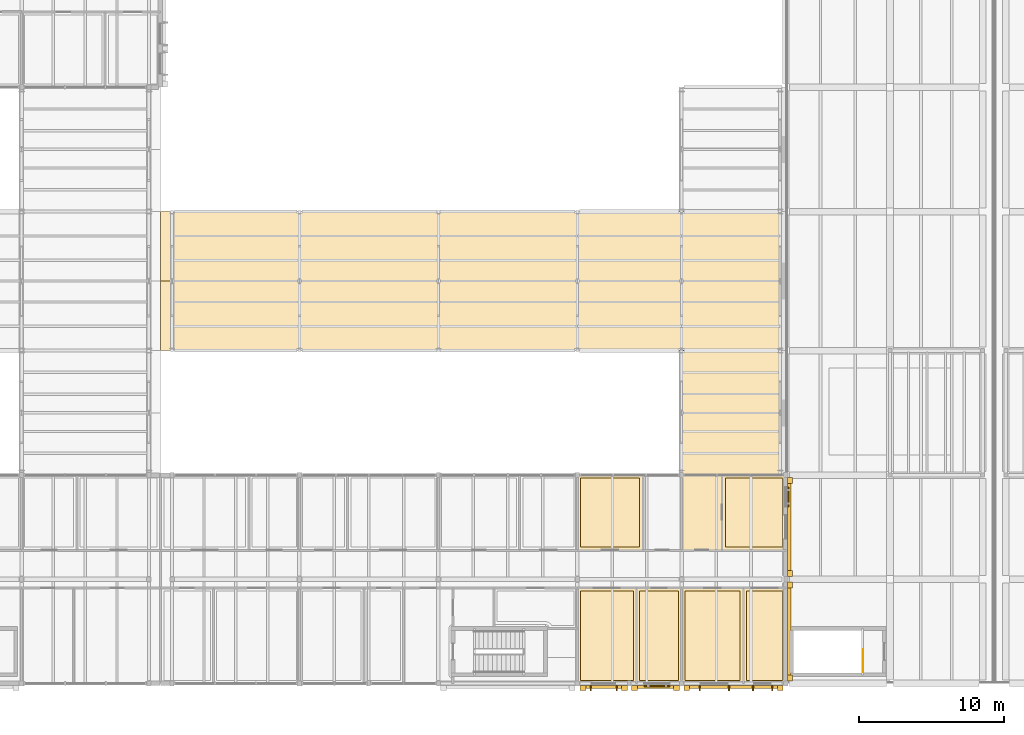
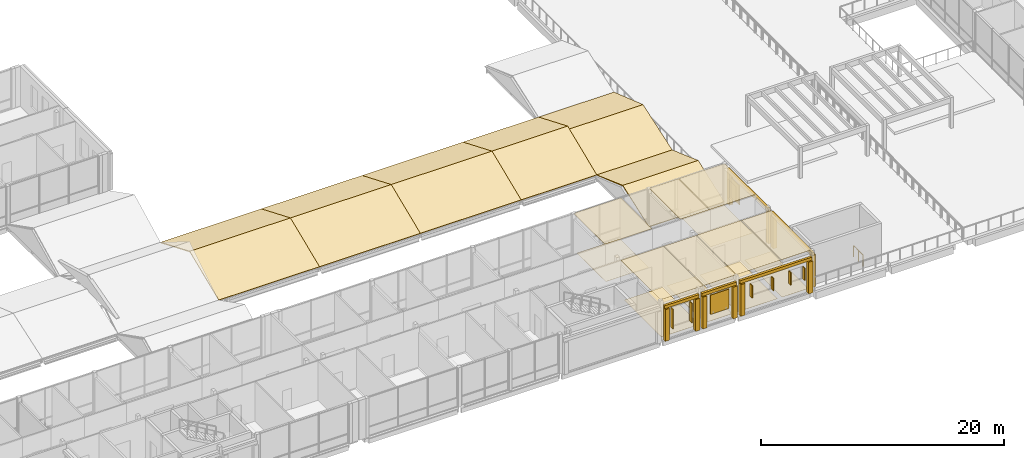
# One storey, part 110 of 115: 40 coverings, 8 shading devices, 1 railing.
"""IFC4 building model written with IfcOpenShell, lengths in metres."""

import ifcopenshell
import ifcopenshell.guid

model = None  # the IFC model being written
_history = None  # IfcOwnerHistory: only IFC2X3 demands one
_inside = {}  # id of a spatial element -> (the spatial element, [elements in it])
_under = {}  # id of a project, library or spatial element -> (it, [spatial elements below it])
_declared = {}  # id of a project -> (the project, [libraries it declares])
_typed = {}  # id of a type object -> (the type object, [elements of that type])
_made_of = {}  # id of a material, layer set ... -> (it, [elements and type objects made of it])


def new_model(schema):
    """Start an empty IFC model of exactly this schema.

    Asked for "IFC4X3", IfcOpenShell would pick the latest addendum, in which some entities
    have other attributes; the version numbers below select the first issue.
    IFC2X3 requires an IfcOwnerHistory on every rooted entity: one is made here for all.
    """
    global model, _history
    if schema == "IFC4X3":
        model = ifcopenshell.file(schema_version=(4, 3, 0, 0))
    else:
        model = ifcopenshell.file(schema=schema)
    _inside.clear()
    _under.clear()
    _declared.clear()
    _typed.clear()
    _made_of.clear()
    _history = None
    if model.schema == "IFC2X3":
        org = make("IfcOrganization", Name="unknown")
        user = make(
            "IfcPersonAndOrganization",
            ThePerson=make("IfcPerson", FamilyName="unknown"),
            TheOrganization=org,
        )
        app = make(
            "IfcApplication",
            ApplicationDeveloper=org,
            Version="unknown",
            ApplicationFullName="unknown",
            ApplicationIdentifier="unknown",
        )
        _history = make(
            "IfcOwnerHistory",
            OwningUser=user,
            OwningApplication=app,
            ChangeAction="ADDED",
            CreationDate=0,
        )
    return model


def make(cls, **values):
    """One entity of the class cls with the attributes given. An attribute that is None is left unset."""
    return model.create_entity(
        cls, **{name: value for name, value in values.items() if value is not None}
    )


def rooted(cls, **values):
    """An entity with a GlobalId (a new one), such as an element, a storey or a relation."""
    return make(cls, GlobalId=ifcopenshell.guid.new(), OwnerHistory=_history, **values)


def si_unit(unit_type, name, prefix=None):
    """IfcSIUnit, for example si_unit("LENGTHUNIT", "METRE", prefix="MILLI")."""
    return make("IfcSIUnit", UnitType=unit_type, Prefix=prefix, Name=name)


def assignment(units):
    """IfcUnitAssignment: the units of a project."""
    return None if units is None else make("IfcUnitAssignment", Units=units)


def point(xyz):
    """IfcCartesianPoint."""
    return None if xyz is None else make("IfcCartesianPoint", Coordinates=xyz)


def direction(xyz):
    """IfcDirection."""
    return None if xyz is None else make("IfcDirection", DirectionRatios=xyz)


def frame(location, z_axis=None, x_axis=None):
    """IfcAxis2Placement3D, a coordinate frame: its origin and axes. An axis left out is left unset."""
    return make(
        "IfcAxis2Placement3D",
        Location=point(location),
        Axis=direction(z_axis),
        RefDirection=direction(x_axis),
    )


def frame_2d(location, x_axis=None):
    """IfcAxis2Placement2D, a coordinate frame in the plane: its origin and x axis."""
    return make(
        "IfcAxis2Placement2D", Location=point(location), RefDirection=direction(x_axis)
    )


def origin():
    """The frame at (0, 0, 0) with its axes left unset."""
    return frame((0.0, 0.0, 0.0))


def origin_2d():
    """The frame at (0, 0) in the plane with its x axis left unset."""
    return frame_2d((0.0, 0.0))


def place(relative_to, where):
    """IfcLocalPlacement: puts the frame where relative to a parent placement (None: the world)."""
    return make(
        "IfcLocalPlacement", PlacementRelTo=relative_to, RelativePlacement=where
    )


def context(
    kind, dimensions, precision=None, world=None, true_north=None, identifier=None
):
    """IfcGeometricRepresentationContext, for example the 3D "Model" context."""
    return make(
        "IfcGeometricRepresentationContext",
        ContextIdentifier=identifier,
        ContextType=kind,
        CoordinateSpaceDimension=dimensions,
        Precision=precision,
        WorldCoordinateSystem=world,
        TrueNorth=true_north,
    )


def subcontext(parent, identifier, kind, view, scale=None):
    """IfcGeometricRepresentationSubContext, for example "Body" below "Model"."""
    return make(
        "IfcGeometricRepresentationSubContext",
        ContextIdentifier=identifier,
        ContextType=kind,
        ParentContext=parent,
        TargetScale=scale,
        TargetView=view,
    )


def project(units=None, contexts=None):
    """IfcProject with its units and contexts."""
    return rooted(
        "IfcProject",
        Name="project",
        RepresentationContexts=contexts,
        UnitsInContext=assignment(units),
    )


def spatial(cls, under=None, at=None, **own):
    """A site, building, storey or space (cls), placed at a placement, below another one or the project."""
    s = rooted(cls, ObjectPlacement=at, **own)
    if under is not None:
        _under.setdefault(under.id(), (under, []))[1].append(s)
    return s


def polyline(points):
    """IfcPolyline through the points."""
    return make("IfcPolyline", Points=[point(p) for p in points])


def profile(cls, at=None, kind="AREA", **sizes):
    """A parametric profile (cls). Its sizes go by their IFC names, for example OverallWidth=200.0."""
    return make(cls, ProfileType=kind, Position=at, **sizes)


def rectangle(**sizes):
    """IfcRectangleProfileDef."""
    return profile("IfcRectangleProfileDef", **sizes)


def circle(**sizes):
    """IfcCircleProfileDef."""
    return profile("IfcCircleProfileDef", **sizes)


def outline(outer, holes=None, kind="AREA"):
    """IfcArbitraryClosedProfileDef: a profile drawn as a closed curve; with holes, ...WithVoids."""
    if holes is None:
        return make("IfcArbitraryClosedProfileDef", ProfileType=kind, OuterCurve=outer)
    return make(
        "IfcArbitraryProfileDefWithVoids",
        ProfileType=kind,
        OuterCurve=outer,
        InnerCurves=holes,
    )


def extrude(swept, where, along, depth):
    """IfcExtrudedAreaSolid: the profile swept, set in the frame where, extruded along a direction by depth."""
    return make(
        "IfcExtrudedAreaSolid",
        SweptArea=swept,
        Position=where,
        ExtrudedDirection=direction(along),
        Depth=depth,
    )


def shape(context_of_items, identifier, shape_type, items):
    """IfcShapeRepresentation: the items that make up one representation, for example the "Body"."""
    return make(
        "IfcShapeRepresentation",
        ContextOfItems=context_of_items,
        RepresentationIdentifier=identifier,
        RepresentationType=shape_type,
        Items=items,
    )


def material(Name=None, Category=None):
    """IfcMaterial."""
    return make("IfcMaterial", Name=Name, Category=Category)


def layer(
    of_material, thickness, ventilated=None, Name=None, Category=None, Priority=None
):
    """IfcMaterialLayer: one layer of a wall or slab, of a material (None: an air gap)."""
    return make(
        "IfcMaterialLayer",
        Material=of_material,
        LayerThickness=thickness,
        IsVentilated=ventilated,
        Name=Name,
        Category=Category,
        Priority=Priority,
    )


def layer_set(layers, Name=None):
    """IfcMaterialLayerSet."""
    return make("IfcMaterialLayerSet", MaterialLayers=layers, LayerSetName=Name)


def made_of(thing, what):
    """Note that an element or type object is made of a material, layer set ...; save() writes the relation."""
    if what is not None:
        _made_of.setdefault(what.id(), (what, []))[1].append(thing)
    return thing


def type_object(cls, material=None, **own):
    """A type object (cls), such as IfcWallType, which elements share."""
    return made_of(rooted(cls, **own), material)


def element(
    cls,
    number,
    at=None,
    inside=None,
    cuts=None,
    type_object=None,
    material=None,
    context=None,
    identifier="Body",
    shape_type=None,
    held_by="IfcProductDefinitionShape",
    body=None,
    shapes=None,
    **own,
):
    """One element of the class cls, such as IfcWall. Its Tag is "e" and its number.

    at: its placement. inside: the storey or other place that contains it. cuts: it is an
    opening in that element (IfcRelVoidsElement). A single representation is given by context,
    identifier, shape_type and body (its items); several are given by shapes. held_by: the class
    of the entity that holds the representations. save() writes the other relations.
    """
    e = rooted(cls, Tag="e%d" % number, ObjectPlacement=at, **own)
    if body is not None:
        shapes = [shape(context, identifier, shape_type, body)]
    if shapes is not None:
        e.Representation = make(held_by, Representations=shapes)
    if inside is not None:
        _inside.setdefault(inside.id(), (inside, []))[1].append(e)
    if cuts is not None:
        rooted(
            "IfcRelVoidsElement", RelatingBuildingElement=cuts, RelatedOpeningElement=e
        )
    if type_object is not None:
        _typed.setdefault(type_object.id(), (type_object, []))[1].append(e)
    return made_of(e, material)


def aggregate(whole, parts):
    """IfcRelAggregates: a whole, such as a stair, and the parts it consists of."""
    return rooted("IfcRelAggregates", RelatingObject=whole, RelatedObjects=parts)


def save(model, path):
    """Write the relations noted so far, then the file.

    IfcRelAggregates (storeys below a building ...), IfcRelContainedInSpatialStructure (elements
    in a storey), IfcRelDefinesByType, IfcRelAssociatesMaterial and IfcRelDeclares: one each for
    every whole, place, type object, material and project.
    """
    for whole, parts in _under.values():
        aggregate(whole, parts)
    for where, things in _inside.values():
        rooted(
            "IfcRelContainedInSpatialStructure",
            RelatedElements=things,
            RelatingStructure=where,
        )
    for kind, things in _typed.values():
        rooted("IfcRelDefinesByType", RelatedObjects=things, RelatingType=kind)
    for what, things in _made_of.values():
        rooted("IfcRelAssociatesMaterial", RelatedObjects=things, RelatingMaterial=what)
    for by, libraries in _declared.values():
        rooted("IfcRelDeclares", RelatingContext=by, RelatedDefinitions=libraries)
    model.write(path)


model = new_model("IFC4")

# Units and contexts
model_context = context("Model", 3, precision=1e-05, world=origin(), true_north=direction((0.0, 1.0)))
body_context = subcontext(model_context, "Body", "Model", "MODEL_VIEW")
ifc_project = project(units=[si_unit("LENGTHUNIT", "METRE"), si_unit("AREAUNIT", "SQUARE_METRE"), si_unit("VOLUMEUNIT", "CUBIC_METRE"), si_unit("PLANEANGLEUNIT", "RADIAN"), si_unit("MASSUNIT", "GRAM", prefix="KILO")], contexts=[model_context])

# Site, building, storey
site_placement = place(None, origin())
site = spatial("IfcSite", under=ifc_project, at=site_placement, CompositionType="ELEMENT")
building_placement = place(site_placement, origin())
building = spatial("IfcBuilding", under=site, at=building_placement, Name="Hawrajan Terrace Health Centre", CompositionType="ELEMENT")
storey_placement = place(building_placement, frame((0.0, 0.0, 9.0)))
storey = spatial("IfcBuildingStorey", under=building, at=storey_placement, Name="L02", CompositionType="ELEMENT", Elevation=9.0)

# Coverings
ifc_material_1 = material(Name="Precast concrete C40/50", Category="concrete")
ifc_layer_1 = layer(ifc_material_1, 0.219970703125)
ifc_layer_set_1 = layer_set([ifc_layer_1], Name="Precast concrete C40/50")
covering_type_1 = type_object("IfcCoveringType", Name="ArtDecoCorniceBand", PredefinedType="CLADDING", material=ifc_layer_set_1)
covering_1_placement = place(storey_placement, frame((102.419921875, 3.955078125, 3.2099609375), z_axis=(0.0, 0.0, 1.0), x_axis=(1.0, 0.0, 0.0)))
element("IfcCovering", 1, at=covering_1_placement, inside=storey, type_object=covering_type_1, Name="Art Deco limestone cornice band CRN-L02-0141", PredefinedType="CLADDING", context=body_context, shape_type="SweptSolid", body=[
    extrude(rectangle(XDim=3.280029296875, YDim=0.219970703125, at=origin_2d()), origin(), (0.0, 0.0, 1.0), 0.300048828125),
])
covering_2_placement = place(storey_placement, frame((105.989990234375, 3.955078125, 3.2099609375), z_axis=(0.0, 0.0, 1.0), x_axis=(1.0, 0.0, 0.0)))
element("IfcCovering", 2, at=covering_2_placement, inside=storey, type_object=covering_type_1, Name="Art Deco limestone cornice band CRN-L02-0142", PredefinedType="CLADDING", context=body_context, shape_type="SweptSolid", body=[
    extrude(rectangle(XDim=3.300048828125, YDim=0.219970703125, at=origin_2d()), origin(), (0.0, 0.0, 1.0), 0.300048828125),
])
covering_3_placement = place(storey_placement, frame((111.389892578125, 3.955078125, 3.2099609375), z_axis=(0.0, 0.0, 1.0), x_axis=(1.0, 0.0, 0.0)))
element("IfcCovering", 3, at=covering_3_placement, inside=storey, type_object=covering_type_1, Name="Art Deco limestone cornice band CRN-L02-0143", PredefinedType="CLADDING", context=body_context, shape_type="SweptSolid", body=[
    extrude(rectangle(XDim=6.860107421875, YDim=0.219970703125, at=origin_2d()), origin(), (0.0, 0.0, 1.0), 0.300048828125),
])
for number, where, z_axis, x_axis, name in (
    (4, (115.2451171875, 7.7900390625, 3.2099609375), (0.0, 0.0, 1.0), (0.0, 1.0, 0.0), "Art Deco limestone cornice band CRN-L02-0144"),
    (5, (115.2451171875, 15.010009765625, 3.2099609375), (0.0, 0.0, 1.0), (0.0, 1.0, 0.0), "Art Deco limestone cornice band CRN-L02-0145"),
):
    element("IfcCovering", number, at=place(storey_placement, frame(where, z_axis=z_axis, x_axis=x_axis)), inside=storey, type_object=covering_type_1, Name=name, PredefinedType="CLADDING", context=body_context, shape_type="SweptSolid", body=[
        extrude(rectangle(XDim=6.820068359375, YDim=0.219970703125, at=origin_2d()), origin(), (0.0, 0.0, 1.0), 0.300048828125),
    ])
ifc_layer_2 = layer(ifc_material_1, 0.340087890625)
ifc_layer_set_2 = layer_set([ifc_layer_2], Name="Precast concrete C40/50")
covering_type_2 = type_object("IfcCoveringType", Name="ArtDecoStonePilaster", PredefinedType="CLADDING", material=ifc_layer_set_2)
for number, where, z_axis, x_axis, name in (
    (6, (100.97998046875, 3.89501953125, 0.0), (0.0, 0.0, 1.0), (1.0, 0.0, 0.0), "Art Deco fluted limestone pilaster FPIL-L02-0272"),
    (7, (103.860107421875, 3.89501953125, 0.0), (0.0, 0.0, 1.0), (1.0, 0.0, 0.0), "Art Deco fluted limestone pilaster FPIL-L02-0273"),
    (8, (104.5400390625, 3.89501953125, 0.0), (0.0, 0.0, 1.0), (1.0, 0.0, 0.0), "Art Deco fluted limestone pilaster FPIL-L02-0274"),
    (9, (107.43994140625, 3.89501953125, 0.0), (0.0, 0.0, 1.0), (1.0, 0.0, 0.0), "Art Deco fluted limestone pilaster FPIL-L02-0275"),
    (10, (108.159912109375, 3.89501953125, 0.0), (0.0, 0.0, 1.0), (1.0, 0.0, 0.0), "Art Deco fluted limestone pilaster FPIL-L02-0276"),
    (11, (114.6201171875, 3.89501953125, 0.0), (0.0, 0.0, 1.0), (1.0, 0.0, 0.0), "Art Deco fluted limestone pilaster FPIL-L02-0277"),
    (12, (115.304931640625, 4.580078125, 0.0), (0.0, 0.0, 1.0), (0.0, 1.0, 0.0), "Art Deco fluted limestone pilaster FPIL-L02-0278"),
    (13, (115.304931640625, 11.0, 0.0), (0.0, 0.0, 1.0), (0.0, 1.0, 0.0), "Art Deco fluted limestone pilaster FPIL-L02-0279"),
    (14, (115.304931640625, 11.800048828125, 0.0), (0.0, 0.0, 1.0), (0.0, 1.0, 0.0), "Art Deco fluted limestone pilaster FPIL-L02-0280"),
    (15, (115.304931640625, 18.219970703125, 0.0), (0.0, 0.0, 1.0), (0.0, 1.0, 0.0), "Art Deco fluted limestone pilaster FPIL-L02-0281"),
):
    element("IfcCovering", number, at=place(storey_placement, frame(where, z_axis=z_axis, x_axis=x_axis)), inside=storey, type_object=covering_type_2, Name=name, PredefinedType="CLADDING", context=body_context, shape_type="SweptSolid", body=[
        extrude(rectangle(XDim=0.39990234375, YDim=0.340087890625, at=origin_2d()), origin(), (0.0, 0.0, 1.0), 3.199951171875),
    ])
ifc_material_2 = material(Name="Hygienic mineral-fibre acoustic tile ceiling")
ifc_layer_3 = layer(ifc_material_2, 0.02490234375)
ifc_layer_set_3 = layer_set([ifc_layer_3], Name="Hygienic mineral-fibre acoustic tile ceiling")
covering_type_3 = type_object("IfcCoveringType", Name="ClinicalAcousticCeiling_25", PredefinedType="CEILING", material=ifc_layer_set_3)
covering_4_placement = place(storey_placement, frame((0.0, 0.0, 3.93505859375)))
element("IfcCovering", 16, at=covering_4_placement, inside=storey, type_object=covering_type_3, Name="Suspended ceiling L02-039", PredefinedType="CEILING", context=body_context, shape_type="SweptSolid", body=[
    extrude(outline(polyline([(107.820068359375, 18.580078125), (110.580078125, 18.580078125), (110.580078125, 13.419921875), (107.820068359375, 13.419921875), (107.820068359375, 18.580078125)])), origin(), (0.0, 0.0, 1.0), 0.02490234375),
])
covering_5_placement = place(storey_placement, frame((0.0, 0.0, 3.93505859375)))
element("IfcCovering", 17, at=covering_5_placement, inside=storey, type_object=covering_type_3, Name="Suspended ceiling L02-100", PredefinedType="CEILING", context=body_context, shape_type="SweptSolid", body=[
    extrude(outline(polyline([(100.6201171875, 10.780029296875), (104.669677734375, 10.780029296875), (104.669677734375, 4.219970703125), (100.6201171875, 4.219970703125), (100.6201171875, 10.780029296875)])), origin(), (0.0, 0.0, 1.0), 0.02490234375),
])
covering_6_placement = place(storey_placement, frame((0.0, 0.0, 3.93505859375)))
element("IfcCovering", 18, at=covering_6_placement, inside=storey, type_object=covering_type_3, Name="Suspended ceiling L02-101", PredefinedType="CEILING", context=body_context, shape_type="SweptSolid", body=[
    extrude(outline(polyline([(104.709716796875, 10.780029296875), (107.780029296875, 10.780029296875), (107.780029296875, 4.219970703125), (104.709716796875, 4.219970703125), (104.709716796875, 10.780029296875)])), origin(), (0.0, 0.0, 1.0), 0.02490234375),
])
covering_7_placement = place(storey_placement, frame((0.0, 0.0, 3.93505859375)))
element("IfcCovering", 19, at=covering_7_placement, inside=storey, type_object=covering_type_3, Name="Suspended ceiling L02-102", PredefinedType="CEILING", context=body_context, shape_type="SweptSolid", body=[
    extrude(outline(polyline([(100.6201171875, 18.580078125), (105.1015625, 18.580078125), (105.1015625, 13.419921875), (100.6201171875, 13.419921875), (100.6201171875, 18.580078125)])), origin(), (0.0, 0.0, 1.0), 0.02490234375),
])
covering_8_placement = place(storey_placement, frame((0.0, 0.0, 3.93505859375)))
element("IfcCovering", 20, at=covering_8_placement, inside=storey, type_object=covering_type_3, Name="Suspended ceiling L02-104", PredefinedType="CEILING", context=body_context, shape_type="SweptSolid", body=[
    extrude(outline(polyline([(107.820068359375, 10.780029296875), (112.049560546875, 10.780029296875), (112.049560546875, 4.219970703125), (107.820068359375, 4.219970703125), (107.820068359375, 10.780029296875)])), origin(), (0.0, 0.0, 1.0), 0.02490234375),
])
covering_9_placement = place(storey_placement, frame((0.0, 0.0, 3.93505859375)))
element("IfcCovering", 21, at=covering_9_placement, inside=storey, type_object=covering_type_3, Name="Suspended ceiling L02-105", PredefinedType="CEILING", context=body_context, shape_type="SweptSolid", body=[
    extrude(outline(polyline([(112.089599609375, 10.780029296875), (114.97998046875, 10.780029296875), (114.97998046875, 4.219970703125), (112.089599609375, 4.219970703125), (112.089599609375, 10.780029296875)])), origin(), (0.0, 0.0, 1.0), 0.02490234375),
])
covering_10_placement = place(storey_placement, frame((0.0, 0.0, 3.93505859375)))
element("IfcCovering", 22, at=covering_10_placement, inside=storey, type_object=covering_type_3, Name="Suspended ceiling L02-106", PredefinedType="CEILING", context=body_context, shape_type="SweptSolid", body=[
    extrude(outline(polyline([(110.6201171875, 18.580078125), (114.97998046875, 18.580078125), (114.97998046875, 13.419921875), (110.6201171875, 13.419921875), (110.6201171875, 18.580078125)])), origin(), (0.0, 0.0, 1.0), 0.02490234375),
])
ifc_material_3 = material(Name="Seamless medical-grade cushioned vinyl flooring")
ifc_layer_4 = layer(ifc_material_3, 0.011962890625)
ifc_layer_set_4 = layer_set([ifc_layer_4], Name="Seamless medical-grade cushioned vinyl flooring")
covering_type_4 = type_object("IfcCoveringType", Name="ClinicalVinylFlooring_12", PredefinedType="FLOORING", material=ifc_layer_set_4)
covering_11_placement = place(storey_placement, origin())
element("IfcCovering", 23, at=covering_11_placement, inside=storey, type_object=covering_type_4, Name="Floor finish L02-100", PredefinedType="FLOORING", context=body_context, shape_type="SweptSolid", body=[
    extrude(outline(polyline([(100.820068359375, 10.580078125), (104.469482421875, 10.580078125), (104.469482421875, 4.419921875), (100.820068359375, 4.419921875), (100.820068359375, 10.580078125)])), origin(), (0.0, 0.0, 1.0), 0.011962890625),
])
covering_12_placement = place(storey_placement, origin())
element("IfcCovering", 24, at=covering_12_placement, inside=storey, type_object=covering_type_4, Name="Floor finish L02-101", PredefinedType="FLOORING", context=body_context, shape_type="SweptSolid", body=[
    extrude(outline(polyline([(104.90966796875, 10.580078125), (107.580078125, 10.580078125), (107.580078125, 4.419921875), (104.90966796875, 4.419921875), (104.90966796875, 10.580078125)])), origin(), (0.0, 0.0, 1.0), 0.011962890625),
])
covering_13_placement = place(storey_placement, origin())
element("IfcCovering", 25, at=covering_13_placement, inside=storey, type_object=covering_type_4, Name="Floor finish L02-102", PredefinedType="FLOORING", context=body_context, shape_type="SweptSolid", body=[
    extrude(outline(polyline([(100.820068359375, 18.3798828125), (104.901611328125, 18.3798828125), (104.901611328125, 13.6201171875), (100.820068359375, 13.6201171875), (100.820068359375, 18.3798828125)])), origin(), (0.0, 0.0, 1.0), 0.011962890625),
])
covering_14_placement = place(storey_placement, origin())
element("IfcCovering", 26, at=covering_14_placement, inside=storey, type_object=covering_type_4, Name="Floor finish L02-104", PredefinedType="FLOORING", context=body_context, shape_type="SweptSolid", body=[
    extrude(outline(polyline([(108.02001953125, 10.580078125), (111.849609375, 10.580078125), (111.849609375, 4.419921875), (108.02001953125, 4.419921875), (108.02001953125, 10.580078125)])), origin(), (0.0, 0.0, 1.0), 0.011962890625),
])
covering_15_placement = place(storey_placement, origin())
element("IfcCovering", 27, at=covering_15_placement, inside=storey, type_object=covering_type_4, Name="Floor finish L02-105", PredefinedType="FLOORING", context=body_context, shape_type="SweptSolid", body=[
    extrude(outline(polyline([(112.28955078125, 10.580078125), (114.780029296875, 10.580078125), (114.780029296875, 4.419921875), (112.28955078125, 4.419921875), (112.28955078125, 10.580078125)])), origin(), (0.0, 0.0, 1.0), 0.011962890625),
])
covering_16_placement = place(storey_placement, origin())
element("IfcCovering", 28, at=covering_16_placement, inside=storey, type_object=covering_type_4, Name="Floor finish L02-106", PredefinedType="FLOORING", context=body_context, shape_type="SweptSolid", body=[
    extrude(outline(polyline([(110.820068359375, 18.3798828125), (114.780029296875, 18.3798828125), (114.780029296875, 13.6201171875), (110.820068359375, 13.6201171875), (110.820068359375, 18.3798828125)])), origin(), (0.0, 0.0, 1.0), 0.011962890625),
])

# Shading devices
ifc_material_4 = material(Name="Anodized bronze mashrabiya vertical solar fin")
ifc_layer_5 = layer(ifc_material_4, 0.080078125)
ifc_layer_set_5 = layer_set([ifc_layer_5], Name="Anodized bronze mashrabiya vertical solar fin")
shading_device_type_1 = type_object("IfcShadingDeviceType", Name="MashrabiyaVerticalFin", PredefinedType="USERDEFINED", material=ifc_layer_set_5)
for number, where, z_axis, x_axis, name in (
    (29, (101.52001953125, 3.885009765625, 1.0), (0.0, 0.0, 1.0), (1.0, 0.0, 0.0), "Bronze mashrabiya solar fin FIN-L02-0183"),
    (30, (103.320068359375, 3.885009765625, 1.0), (0.0, 0.0, 1.0), (1.0, 0.0, 0.0), "Bronze mashrabiya solar fin FIN-L02-0184"),
):
    element("IfcShadingDevice", number, at=place(storey_placement, frame(where, z_axis=z_axis, x_axis=x_axis)), inside=storey, type_object=shading_device_type_1, Name=name, ObjectType="SOLAR_FIN", PredefinedType="USERDEFINED", context=body_context, shape_type="SweptSolid", body=[
        extrude(rectangle(XDim=0.080078125, YDim=0.360107421875, at=origin_2d()), origin(), (0.0, 0.0, 1.0), 1.949951171875),
    ])
for number, where, z_axis, x_axis, name in (
    (31, (109.0498046875, 3.885009765625, 1.5), (0.0, 0.0, 1.0), (1.0, 0.0, 0.0), "Bronze mashrabiya solar fin FIN-L02-0186"),
    (32, (111.079833984375, 3.885009765625, 1.5), (0.0, 0.0, 1.0), (1.0, 0.0, 0.0), "Bronze mashrabiya solar fin FIN-L02-0187"),
    (33, (112.729736328125, 3.885009765625, 1.5), (0.0, 0.0, 1.0), (1.0, 0.0, 0.0), "Bronze mashrabiya solar fin FIN-L02-0188"),
    (34, (114.059814453125, 3.885009765625, 1.5), (0.0, 0.0, 1.0), (1.0, 0.0, 0.0), "Bronze mashrabiya solar fin FIN-L02-0189"),
):
    element("IfcShadingDevice", number, at=place(storey_placement, frame(where, z_axis=z_axis, x_axis=x_axis)), inside=storey, type_object=shading_device_type_1, Name=name, ObjectType="SOLAR_FIN", PredefinedType="USERDEFINED", context=body_context, shape_type="SweptSolid", body=[
        extrude(rectangle(XDim=0.080078125, YDim=0.360107421875, at=origin_2d()), origin(), (0.0, 0.0, 1.0), 1.25),
    ])
ifc_material_5 = material(Name="Anodized bronze and cedar roshan lattice")
ifc_layer_6 = layer(ifc_material_5, 0.080078125)
ifc_layer_set_6 = layer_set([ifc_layer_6], Name="Anodized bronze and cedar roshan lattice")
shading_device_type_2 = type_object("IfcShadingDeviceType", Name="RoshanScreen_BronzeCedar", PredefinedType="JALOUSIE", material=ifc_layer_set_6)
shading_device_1_placement = place(storey_placement, frame((106.11474609375, 4.02001953125, 1.0), z_axis=(0.0, 0.0, 1.0), x_axis=(1.0, 0.0, 0.0)))
element("IfcShadingDevice", 35, at=shading_device_1_placement, inside=storey, type_object=shading_device_type_2, Name="Hijazi roshan solar screen RSH-L02-185", PredefinedType="JALOUSIE", context=body_context, shape_type="SweptSolid", body=[
    extrude(rectangle(XDim=1.760009765625, YDim=0.080078125, at=origin_2d()), origin(), (0.0, 0.0, 1.0), 1.949951171875),
])
shading_device_2_placement = place(storey_placement, frame((115.179931640625, 17.094970703125, 1.0), z_axis=(0.0, 0.0, 1.0), x_axis=(0.0, 1.0, 0.0)))
element("IfcShadingDevice", 36, at=shading_device_2_placement, inside=storey, type_object=shading_device_type_2, Name="Hijazi roshan solar screen RSH-L02-190", PredefinedType="JALOUSIE", context=body_context, shape_type="SweptSolid", body=[
    extrude(rectangle(XDim=1.340087890625, YDim=0.080078125, at=origin_2d()), origin(), (0.0, 0.0, 1.0), 1.949951171875),
])

# Railing
ifc_material_6 = material(Name="Painted steel stair well guard", Category="steel")
railing_type = type_object("IfcRailingType", Name="StairWellGuard_1120", PredefinedType="GUARDRAIL", material=ifc_material_6)
railing_placement = place(storey_placement, frame((120.340087890625, 4.97998046875, 0.0)))
element("IfcRailing", 37, at=railing_placement, inside=storey, type_object=railing_type, Name="Stair top well guard ST-6", PredefinedType="GUARDRAIL", context=body_context, shape_type="SweptSolid", body=[
    extrude(circle(Radius=0.02392578125, at=origin_2d()), frame((0.0, 0.02880859375, 1.09619140625), z_axis=(0.0, 1.0, 0.0), x_axis=(-1.0, 0.0, 0.0)), (0.0, 0.0, 1.0), 1.50244140625),
    extrude(circle(Radius=0.02099609375, at=origin_2d()), origin(), (0.0, 0.0, 1.0), 1.067138671875),
    extrude(circle(Radius=0.02099609375, at=origin_2d()), frame((0.0, 0.780029296875, 0.0)), (0.0, 0.0, 1.0), 1.067138671875),
    extrude(circle(Radius=0.02099609375, at=origin_2d()), frame((0.0, 1.56005859375, 0.0)), (0.0, 0.0, 1.0), 1.067138671875),
])

# Coverings
ifc_material_7 = material(Name="Standing-seam zinc roofing and PIR insulation")
ifc_layer_7 = layer(ifc_material_7, 0.0849609375)
ifc_layer_set_7 = layer_set([ifc_layer_7], Name="Standing-seam zinc roofing and PIR insulation")
covering_type_5 = type_object("IfcCoveringType", Name="StandingSeamZinc_Roofing", PredefinedType="ROOFING", material=ifc_layer_set_7)
for number, where, z_axis, x_axis, name in (
    (38, (71.804931640625, 27.199951171875, 0.0849609375), (0.0, -0.384612050905, 0.923078312116), (1.0, 0.0, 0.0), "Standing-seam zinc roof RF-V1-10-TRM-S"),
    (39, (71.804931640625, 32.0, 2.0849609375), (0.0, 0.384612050905, 0.923078312116), (1.0, 0.0, 0.0), "Standing-seam zinc roof RF-V1-10-TRM-N"),
):
    element("IfcCovering", number, at=place(storey_placement, frame(where, z_axis=z_axis, x_axis=x_axis)), inside=storey, type_object=covering_type_5, Name=name, PredefinedType="ROOFING", context=body_context, shape_type="SweptSolid", body=[
        extrude(outline(polyline([(0.0, 0.0), (9.594970703125, 0.0), (9.594970703125, 5.200045072149296), (0.0, 5.200045072149296), (0.0, 0.0)])), origin(), (0.0, 0.0, -1.0), 0.0849609375),
    ])
for number, where, z_axis, x_axis, name in (
    (40, (81.39990234375, 27.199951171875, 0.0849609375), (0.0, -0.384612050905, 0.923078312116), (1.0, 0.0, 0.0), "Standing-seam zinc roof RF-V1-11-TRM-S"),
    (41, (81.39990234375, 32.0, 2.0849609375), (0.0, 0.384612050905, 0.923078312116), (1.0, 0.0, 0.0), "Standing-seam zinc roof RF-V1-11-TRM-N"),
    (42, (91.0, 27.199951171875, 0.0849609375), (0.0, -0.384612050905, 0.923078312116), (1.0, 0.0, 0.0), "Standing-seam zinc roof RF-V1-12-TRM-S"),
    (43, (91.0, 32.0, 2.0849609375), (0.0, 0.384612050905, 0.923078312116), (1.0, 0.0, 0.0), "Standing-seam zinc roof RF-V1-12-TRM-N"),
):
    element("IfcCovering", number, at=place(storey_placement, frame(where, z_axis=z_axis, x_axis=x_axis)), inside=storey, type_object=covering_type_5, Name=name, PredefinedType="ROOFING", context=body_context, shape_type="SweptSolid", body=[
        extrude(outline(polyline([(0.0, 0.0), (9.60009765625, 0.0), (9.60009765625, 5.200045072149296), (0.0, 5.200045072149296), (0.0, 0.0)])), origin(), (0.0, 0.0, -1.0), 0.0849609375),
    ])
for number, where, z_axis, x_axis, name in (
    (44, (100.60009765625, 27.199951171875, 0.0849609375), (0.0, -0.384612050905, 0.923078312116), (1.0, 0.0, 0.0), "Standing-seam zinc roof RF-V1-13-TRM-S"),
    (45, (100.60009765625, 32.0, 2.0849609375), (0.0, 0.384612050905, 0.923078312116), (1.0, 0.0, 0.0), "Standing-seam zinc roof RF-V1-13-TRM-N"),
):
    element("IfcCovering", number, at=place(storey_placement, frame(where, z_axis=z_axis, x_axis=x_axis)), inside=storey, type_object=covering_type_5, Name=name, PredefinedType="ROOFING", context=body_context, shape_type="SweptSolid", body=[
        extrude(outline(polyline([(0.0, 0.0), (7.199951171875, 0.0), (7.199951171875, 5.2000450721492975), (0.0, 5.2000450721492975), (0.0, 0.0)])), origin(), (0.0, 0.0, -1.0), 0.0849609375),
    ])
for number, where, z_axis, x_axis, name in (
    (46, (107.800048828125, 27.199951171875, 0.0849609375), (0.0, -0.325102620796, 0.945678743523), (1.0, 0.0, 0.0), "Standing-seam zinc roof RF-V1-14-TRS-S"),
    (47, (107.800048828125, 32.0, 1.735107421875), (0.0, 0.325102620796, 0.945678743523), (1.0, 0.0, 0.0), "Standing-seam zinc roof RF-V1-14-TRS-N"),
):
    element("IfcCovering", number, at=place(storey_placement, frame(where, z_axis=z_axis, x_axis=x_axis)), inside=storey, type_object=covering_type_5, Name=name, PredefinedType="ROOFING", context=body_context, shape_type="SweptSolid", body=[
        extrude(outline(polyline([(0.0, 0.0), (7.179931640625, 0.0), (7.179931640625, 5.07577109139876), (0.0, 5.07577109139876), (0.0, 0.0)])), origin(), (0.0, 0.0, -1.0), 0.0849609375),
    ])
covering_17_placement = place(storey_placement, frame((107.800048828125, 18.60009765625, 0.0849609375), z_axis=(0.0, -0.339129881803, 0.94073956187), x_axis=(1.0, 0.0, 0.0)))
element("IfcCovering", 48, at=covering_17_placement, inside=storey, type_object=covering_type_5, Name="Standing-seam zinc roof RF-V1-14-TRS-SC-S", PredefinedType="ROOFING", context=body_context, shape_type="SweptSolid", body=[
    extrude(outline(polyline([(0.0, 0.0), (7.179931640625, 0.0), (7.179931640625, 4.570664253718343), (0.0, 4.570664253718343), (0.0, 0.0)])), origin(), (0.0, 0.0, -1.0), 0.0849609375),
])
covering_18_placement = place(storey_placement, frame((107.800048828125, 22.89990234375, 1.635009765625), z_axis=(0.0, 0.33911284156, 0.940745704582), x_axis=(1.0, 0.0, 0.0)))
element("IfcCovering", 49, at=covering_18_placement, inside=storey, type_object=covering_type_5, Name="Standing-seam zinc roof RF-V1-14-TRS-SC-N", PredefinedType="ROOFING", context=body_context, shape_type="SweptSolid", body=[
    extrude(outline(polyline([(0.0, 0.0), (7.179931640625, 0.0), (7.179931640625, 4.570893927212802), (0.0, 4.570893927212802), (0.0, 0.0)])), origin(), (0.0, 0.0, -1.0), 0.0849609375),
])

save(model, "model.ifc")
